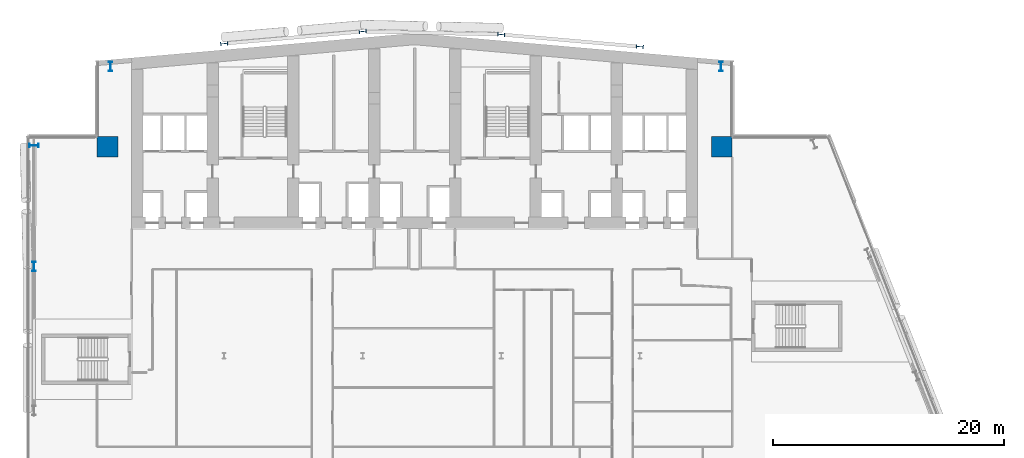
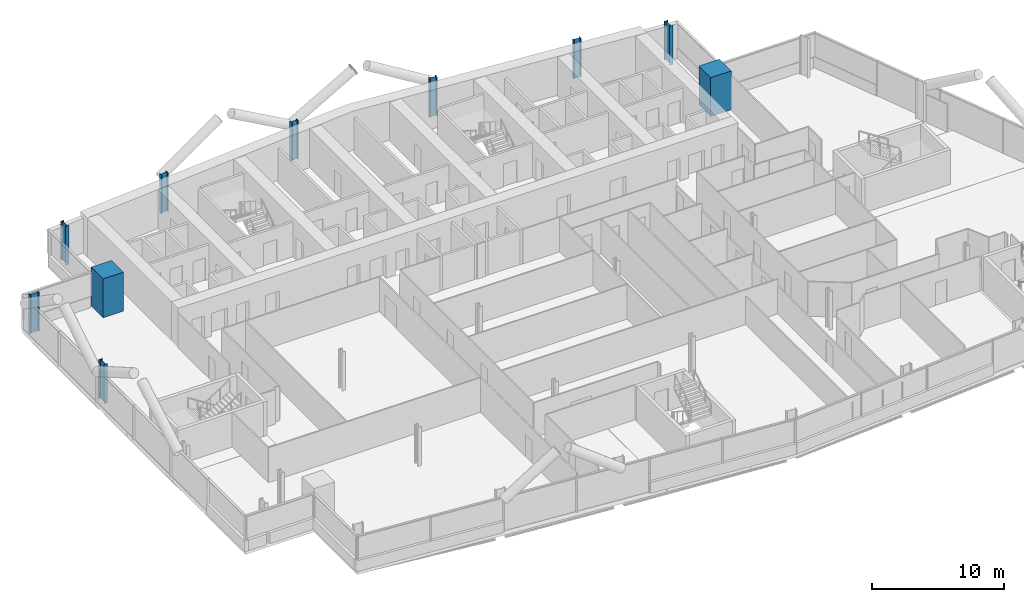
# One storey, part 3 of 26: 10 columns.
"""IFC4 building model written with IfcOpenShell, lengths in metres."""

from ifc_helpers import new_model, si_unit, direction, frame, origin, origin_2d, place, context, subcontext, project, spatial, rectangle, i_section, extrude, material, material_profile, profile_set, type_object, element, save


model = new_model("IFC4")

# Units and contexts
model_context = context("Model", 3, precision=1e-05, world=origin(), true_north=direction((0.0, 1.0)))
body_context = subcontext(model_context, "Body", "Model", "MODEL_VIEW")
ifc_project = project(units=[si_unit("LENGTHUNIT", "METRE"), si_unit("AREAUNIT", "SQUARE_METRE"), si_unit("VOLUMEUNIT", "CUBIC_METRE"), si_unit("PLANEANGLEUNIT", "RADIAN"), si_unit("MASSUNIT", "GRAM", prefix="KILO")], contexts=[model_context])

# Site, building, storey
site_placement = place(None, origin())
site = spatial("IfcSite", under=ifc_project, at=site_placement, CompositionType="ELEMENT")
building_placement = place(site_placement, origin())
building = spatial("IfcBuilding", under=site, at=building_placement, Name="Wharfspan Tower", CompositionType="ELEMENT")
storey_placement = place(building_placement, frame((0.0, 0.0, 114.699951)))
storey = spatial("IfcBuildingStorey", under=building, at=storey_placement, Name="L26", CompositionType="ELEMENT", Elevation=114.699951)

# Columns
ifc_material_1 = material(Name="Steel S355J2", Category="steel")
ifc_material_profile_1 = material_profile(ifc_material_1, i_section(OverallWidth=0.304932, OverallDepth=0.620117, WebThickness=0.020996, FlangeThickness=0.040039, FilletRadius=0.0271, at=origin_2d()))
ifc_profile_set_1 = profile_set([ifc_material_profile_1], Name="Steel S355J2")
column_type_1 = type_object("IfcColumnType", Name="Column HEM 600", PredefinedType="COLUMN", material=ifc_profile_set_1)
for number, where, z_axis, x_axis, name in (
    (1, (24.0, 50.027344, 0.0), (0.0, 0.0, 1.0), (-0.087156, 0.996198, 0.0), "Rear column R.1 L26"),
    (2, (36.0, 51.077148, 0.0), (0.0, 0.0, 1.0), (-0.087156, 0.996198, 0.0), "Rear column R.2 L26"),
    (3, (48.0, 50.814697, 0.0), (0.0, 0.0, 1.0), (0.087156, 0.996198, 0.0), "Rear column R.3 L26"),
    (4, (60.0, 49.764893, 0.0), (0.0, 0.0, 1.0), (0.087156, 0.996198, 0.0), "Rear column R.4 L26"),
):
    element("IfcColumn", number, at=place(storey_placement, frame(where, z_axis=z_axis, x_axis=x_axis)), inside=storey, type_object=column_type_1, Name=name, PredefinedType="COLUMN", context=body_context, shape_type="SweptSolid", body=[
        extrude(i_section(OverallWidth=0.304932, OverallDepth=0.620117, WebThickness=0.020996, FlangeThickness=0.040039, FilletRadius=0.0271, at=origin_2d()), origin(), (0.0, 0.0, 1.0), 3.600098),
    ])
ifc_material_profile_2 = material_profile(ifc_material_1, i_section(OverallWidth=0.302979, OverallDepth=0.813965, WebThickness=0.020996, FlangeThickness=0.040039, FilletRadius=0.030029, at=origin_2d()))
ifc_profile_set_2 = profile_set([ifc_material_profile_2], Name="Steel S355J2")
column_type_2 = type_object("IfcColumnType", Name="Column HEM 800", PredefinedType="COLUMN", material=ifc_profile_set_2)
for number, where, z_axis, x_axis, name in (
    (5, (67.031982, 48.035645, 0.0), (0.0, 0.0, 1.0), (1.0, 0.0, 0.0), "Perimeter column PNRE-V.1 L26"),
    (6, (14.171631, 48.03418, 0.0), (0.0, 0.0, 1.0), (-1.0, 0.0, 0.0), "Perimeter column PNRW-V.1 L26"),
    (7, (7.544434, 41.208008, 0.0), (0.0, 0.0, 1.0), (0.0, 1.0, 0.0), "Perimeter column PNRW-H.1 L26"),
    (8, (7.540039, 30.733398, 0.0), (0.0, 0.0, 1.0), (-1.0, 0.0, 0.0), "Perimeter column PW.1 L26"),
):
    element("IfcColumn", number, at=place(storey_placement, frame(where, z_axis=z_axis, x_axis=x_axis)), inside=storey, type_object=column_type_2, Name=name, PredefinedType="COLUMN", context=body_context, shape_type="SweptSolid", body=[
        extrude(i_section(OverallWidth=0.302979, OverallDepth=0.813965, WebThickness=0.020996, FlangeThickness=0.040039, FilletRadius=0.030029, at=origin_2d()), origin(), (0.0, 0.0, 1.0), 3.600098),
    ])
ifc_material_2 = material(Name="Concrete C70/85", Category="concrete")
ifc_material_profile_3 = material_profile(ifc_material_2, rectangle(XDim=1.800049, YDim=1.800049, at=origin_2d()))
ifc_profile_set_3 = profile_set([ifc_material_profile_3], Name="Concrete C70/85")
column_type_3 = type_object("IfcColumnType", Name="Mega column 1800 C70/85", PredefinedType="COLUMN", material=ifc_profile_set_3)
for number, where, z_axis, x_axis, name in (
    (9, (13.899902, 41.100098, 0.0), (0.0, 0.0, 1.0), (1.0, 0.0, 0.0), "Mega column MC2 L26"),
    (10, (67.100098, 41.100098, 0.0), (0.0, 0.0, 1.0), (1.0, 0.0, 0.0), "Mega column MC3 L26"),
):
    element("IfcColumn", number, at=place(storey_placement, frame(where, z_axis=z_axis, x_axis=x_axis)), inside=storey, type_object=column_type_3, Name=name, PredefinedType="COLUMN", context=body_context, shape_type="SweptSolid", body=[
        extrude(rectangle(XDim=1.800049, YDim=1.800049, at=origin_2d()), origin(), (0.0, 0.0, 1.0), 3.600098),
    ])

save(model, "model.ifc")
